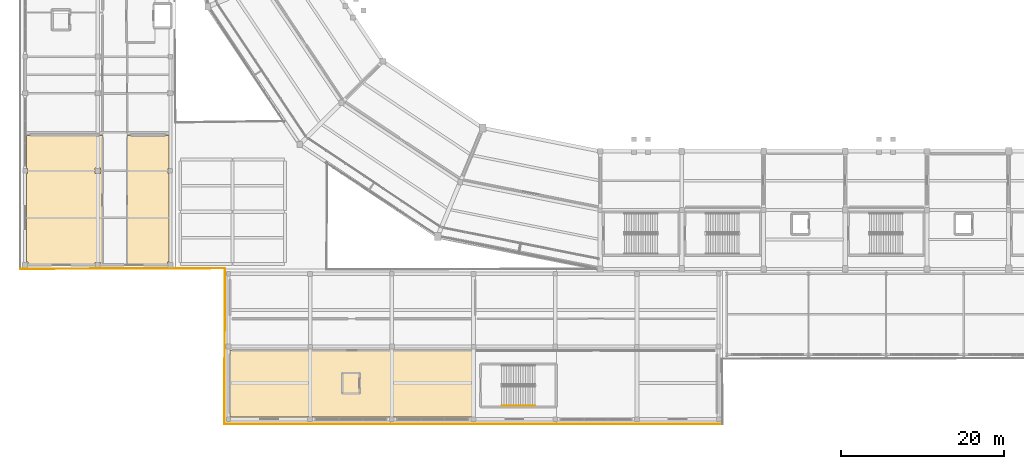
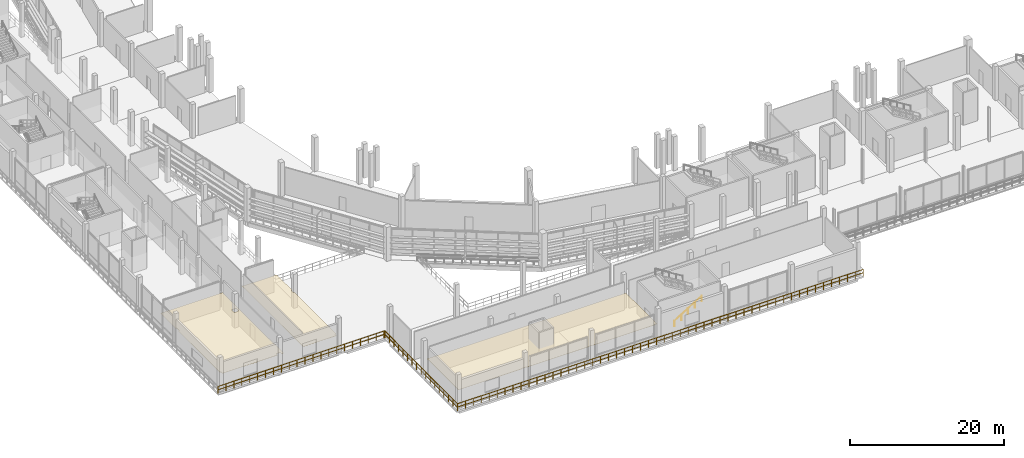
# One storey, part 87 of 111: 4 railings, 3 coverings.
"""IFC4 building model written with IfcOpenShell, lengths in metres."""

from ifc_helpers import new_model, si_unit, direction, frame, origin, origin_2d, place, context, subcontext, project, spatial, polyline, circle, outline, extrude, material, layer, layer_set, type_object, element, save


model = new_model("IFC4")

# Units and contexts
model_context = context("Model", 3, precision=1e-05, world=origin(), true_north=direction((0.0, 1.0)))
body_context = subcontext(model_context, "Body", "Model", "MODEL_VIEW")
ifc_project = project(units=[si_unit("LENGTHUNIT", "METRE"), si_unit("AREAUNIT", "SQUARE_METRE"), si_unit("VOLUMEUNIT", "CUBIC_METRE"), si_unit("PLANEANGLEUNIT", "RADIAN"), si_unit("MASSUNIT", "GRAM", prefix="KILO")], contexts=[model_context])

# Site, building, storey
site_placement = place(None, origin())
site = spatial("IfcSite", under=ifc_project, at=site_placement, CompositionType="ELEMENT")
building_placement = place(site_placement, origin())
building = spatial("IfcBuilding", under=site, at=building_placement, Name="Candeia Ridge Stadium", CompositionType="ELEMENT")
storey_placement = place(building_placement, frame((0.0, 0.0, 16.199951171875)))
storey = spatial("IfcBuildingStorey", under=building, at=storey_placement, Name="L03", CompositionType="ELEMENT", Elevation=16.199951171875)

# Coverings
ifc_material_1 = material(Name="Western Red Cedar Acoustic Slat", Category="wood")
ifc_layer_1 = layer(ifc_material_1, 0.044921875, Name="Western Red Cedar Acoustic Slat", Category="wood")
ifc_layer_set_1 = layer_set([ifc_layer_1], Name="Western Red Cedar Acoustic Slat")
covering_type = type_object("IfcCoveringType", Name="Slatted Cedar Acoustic Ceiling 45", PredefinedType="CEILING", material=ifc_layer_set_1)
covering_1_placement = place(storey_placement, frame((0.0, 0.0, 2.510009765625)))
element("IfcCovering", 1, at=covering_1_placement, inside=storey, type_object=covering_type, Name="Acoustic ceiling Presidential Hospitality Suite W01", PredefinedType="CEILING", context=body_context, shape_type="SweptSolid", body=[
    extrude(outline(polyline([(0.9150390625, 30.68505859375), (0.9150390625, 31.31494140625), (0.77001953125, 31.31494140625), (0.77001953125, 35.300048828125), (0.77001953125, 35.302978515625), (0.7705078125, 35.305908203125), (0.771240234375, 35.30859375), (0.772216796875, 35.3115234375), (0.7734375, 35.314208984375), (0.775146484375, 35.316650390625), (0.77685546875, 35.319091796875), (0.77880859375, 35.3212890625), (0.781005859375, 35.3232421875), (0.783203125, 35.324951171875), (0.785888671875, 35.326416015625), (0.78857421875, 35.32763671875), (0.791259765625, 35.32861328125), (0.794189453125, 35.329345703125), (0.797119140625, 35.329833984375), (0.800048828125, 35.330078125), (10.10009765625, 35.330078125), (10.102783203125, 35.329833984375), (10.10595703125, 35.329345703125), (10.108642578125, 35.32861328125), (10.111572265625, 35.32763671875), (10.114013671875, 35.326416015625), (10.11669921875, 35.324951171875), (10.118896484375, 35.3232421875), (10.12109375, 35.3212890625), (10.123291015625, 35.319091796875), (10.125, 35.316650390625), (10.12646484375, 35.314208984375), (10.127685546875, 35.3115234375), (10.128662109375, 35.30859375), (10.12939453125, 35.305908203125), (10.1298828125, 35.302978515625), (10.1298828125, 35.300048828125), (10.1298828125, 19.5), (10.1298828125, 19.4970703125), (10.12939453125, 19.494140625), (10.128662109375, 19.4912109375), (10.127685546875, 19.488525390625), (10.12646484375, 19.48583984375), (10.125, 19.4833984375), (10.123291015625, 19.48095703125), (10.12109375, 19.478759765625), (10.118896484375, 19.476806640625), (10.11669921875, 19.47509765625), (10.114013671875, 19.473388671875), (10.111572265625, 19.472412109375), (10.108642578125, 19.47119140625), (10.10595703125, 19.470703125), (10.102783203125, 19.47021484375), (10.10009765625, 19.469970703125), (9.81494140625, 19.469970703125), (9.81494140625, 19.81494140625), (9.18505859375, 19.81494140625), (9.18505859375, 19.469970703125), (0.93994140625, 19.469970703125), (0.93994140625, 19.840087890625), (0.77001953125, 19.840087890625), (0.77001953125, 30.68505859375), (0.9150390625, 30.68505859375)]), holes=[polyline([(9.159912109375, 31.340087890625), (9.159912109375, 30.659912109375), (9.840087890625, 30.659912109375), (9.840087890625, 31.340087890625), (9.159912109375, 31.340087890625)])]), origin(), (0.0, 0.0, 1.0), 0.0400390625),
])
covering_2_placement = place(storey_placement, frame((0.0, 0.0, 2.510009765625)))
element("IfcCovering", 2, at=covering_2_placement, inside=storey, type_object=covering_type, Name="Acoustic ceiling Presidential Hospitality Suite W01 Pitchside Suite", PredefinedType="CEILING", context=body_context, shape_type="SweptSolid", body=[
    extrude(outline(polyline([(13.093994140625, 19.470703125), (13.09130859375, 19.47119140625), (13.08837890625, 19.472412109375), (13.0859375, 19.473388671875), (13.083251953125, 19.47509765625), (13.0810546875, 19.476806640625), (13.078857421875, 19.478759765625), (13.076904296875, 19.48095703125), (13.0751953125, 19.4833984375), (13.073486328125, 19.48583984375), (13.072265625, 19.488525390625), (13.0712890625, 19.4912109375), (13.070556640625, 19.494140625), (13.070068359375, 19.4970703125), (13.070068359375, 19.5), (13.070068359375, 35.300048828125), (13.070068359375, 35.302978515625), (13.070556640625, 35.305908203125), (13.0712890625, 35.30859375), (13.072265625, 35.3115234375), (13.073486328125, 35.314208984375), (13.0751953125, 35.316650390625), (13.076904296875, 35.319091796875), (13.078857421875, 35.3212890625), (13.0810546875, 35.3232421875), (13.083251953125, 35.324951171875), (13.0859375, 35.326416015625), (13.08837890625, 35.32763671875), (13.09130859375, 35.32861328125), (13.093994140625, 35.329345703125), (13.09716796875, 35.329833984375), (13.10009765625, 35.330078125), (18.199951171875, 35.330078125), (18.202880859375, 35.329833984375), (18.205810546875, 35.329345703125), (18.208740234375, 35.32861328125), (18.21142578125, 35.32763671875), (18.214111328125, 35.326416015625), (18.216796875, 35.324951171875), (18.218994140625, 35.3232421875), (18.22119140625, 35.3212890625), (18.22314453125, 35.319091796875), (18.224853515625, 35.316650390625), (18.2265625, 35.314208984375), (18.227783203125, 35.3115234375), (18.228759765625, 35.30859375), (18.2294921875, 35.305908203125), (18.22998046875, 35.302978515625), (18.22998046875, 35.300048828125), (18.22998046875, 31.31494140625), (18.0849609375, 31.31494140625), (18.0849609375, 30.68505859375), (18.22998046875, 30.68505859375), (18.22998046875, 19.840087890625), (18.06005859375, 19.840087890625), (18.06005859375, 19.469970703125), (13.10009765625, 19.469970703125), (13.09716796875, 19.47021484375), (13.093994140625, 19.470703125)])), origin(), (0.0, 0.0, 1.0), 0.0400390625),
])
covering_3_placement = place(storey_placement, frame((0.0, 0.0, 2.510009765625)))
element("IfcCovering", 3, at=covering_3_placement, inside=storey, type_object=covering_type, Name="Acoustic ceiling South Executive Skybox Salon", PredefinedType="CEILING", context=body_context, shape_type="SweptSolid", body=[
    extrude(outline(polyline([(25.670166015625, 9.0029296875), (25.670654296875, 9.005859375), (25.67138671875, 9.0087890625), (25.67236328125, 9.011474609375), (25.673583984375, 9.01416015625), (25.675048828125, 9.0166015625), (25.6767578125, 9.01904296875), (25.6787109375, 9.021240234375), (25.680908203125, 9.023193359375), (25.683349609375, 9.02490234375), (25.685791015625, 9.026611328125), (25.6884765625, 9.027587890625), (25.69140625, 9.02880859375), (25.694091796875, 9.029296875), (25.697021484375, 9.02978515625), (25.699951171875, 9.030029296875), (55.5, 9.030029296875), (55.5029296875, 9.02978515625), (55.505859375, 9.029296875), (55.5087890625, 9.02880859375), (55.511474609375, 9.027587890625), (55.51416015625, 9.026611328125), (55.5166015625, 9.02490234375), (55.51904296875, 9.023193359375), (55.521240234375, 9.021240234375), (55.523193359375, 9.01904296875), (55.52490234375, 9.0166015625), (55.526611328125, 9.01416015625), (55.527587890625, 9.011474609375), (55.52880859375, 9.0087890625), (55.529296875, 9.005859375), (55.52978515625, 9.0029296875), (55.530029296875, 9.0), (55.530029296875, 0.93994140625), (55.159912109375, 0.93994140625), (55.159912109375, 0.8701171875), (45.81494140625, 0.8701171875), (45.81494140625, 0.9150390625), (45.18505859375, 0.9150390625), (45.18505859375, 0.8701171875), (35.840087890625, 0.8701171875), (35.840087890625, 0.93994140625), (35.159912109375, 0.93994140625), (35.159912109375, 0.8701171875), (25.81494140625, 0.8701171875), (25.81494140625, 0.9150390625), (25.669921875, 0.9150390625), (25.669921875, 9.0), (25.670166015625, 9.0029296875)])), origin(), (0.0, 0.0, 1.0), 0.0400390625),
])

# Railings
ifc_material_2 = material(Name="Galvanized Powder-Coated Steel", Category="steel")
ifc_layer_2 = layer(ifc_material_2, 0.074951171875, Name="Galvanized Powder-Coated Steel", Category="steel")
ifc_layer_set_2 = layer_set([ifc_layer_2], Name="Galvanized Powder-Coated Steel")
railing_type_1 = type_object("IfcRailingType", Name="Spectator Bowl Front Guardrail 1120", PredefinedType="GUARDRAIL", material=ifc_layer_set_2)
railing_1_placement = place(storey_placement, frame((25.0, 19.080078125, 0.0)))
element("IfcRailing", 4, at=railing_1_placement, inside=storey, type_object=railing_type_1, Name="Deck edge safety guardrail GR-DE-L03-0145", PredefinedType="GUARDRAIL", context=body_context, shape_type="SweptSolid", body=[
    extrude(circle(Radius=0.02392578125, at=origin_2d()), frame((0.0, 0.0, 1.09619140625), z_axis=(-0.999994870035, -0.003203108568, 0.0), x_axis=(0.003203108568, -0.999994870035, 0.0)), (0.0, 0.0, 1.0), 25.000244140625),
    extrude(circle(Radius=0.02392578125, at=origin_2d()), frame((0.0, 0.0, 0.56005859375), z_axis=(-0.999994870035, -0.003203108568, 0.0), x_axis=(0.003203108568, -0.999994870035, 0.0)), (0.0, 0.0, 1.0), 25.000244140625),
    extrude(circle(Radius=0.02099609375, at=origin_2d()), origin(), (0.0, 0.0, 1.0), 1.072021484375),
    extrude(circle(Radius=0.02099609375, at=origin_2d()), frame((-1.1904296875, -0.00390625, 0.0)), (0.0, 0.0, 1.0), 1.072021484375),
    extrude(circle(Radius=0.02099609375, at=origin_2d()), frame((-2.380859375, -0.007568359375, 0.0)), (0.0, 0.0, 1.0), 1.072021484375),
    extrude(circle(Radius=0.02099609375, at=origin_2d()), frame((-3.571533203125, -0.011474609375, 0.0)), (0.0, 0.0, 1.0), 1.072021484375),
    extrude(circle(Radius=0.02099609375, at=origin_2d()), frame((-4.761962890625, -0.01513671875, 0.0)), (0.0, 0.0, 1.0), 1.072021484375),
    extrude(circle(Radius=0.02099609375, at=origin_2d()), frame((-5.952392578125, -0.01904296875, 0.0)), (0.0, 0.0, 1.0), 1.072021484375),
    extrude(circle(Radius=0.02099609375, at=origin_2d()), frame((-7.142822265625, -0.02294921875, 0.0)), (0.0, 0.0, 1.0), 1.072021484375),
    extrude(circle(Radius=0.02099609375, at=origin_2d()), frame((-8.333251953125, -0.026611328125, 0.0)), (0.0, 0.0, 1.0), 1.072021484375),
    extrude(circle(Radius=0.02099609375, at=origin_2d()), frame((-9.52392578125, -0.030517578125, 0.0)), (0.0, 0.0, 1.0), 1.072021484375),
    extrude(circle(Radius=0.02099609375, at=origin_2d()), frame((-10.71435546875, -0.034423828125, 0.0)), (0.0, 0.0, 1.0), 1.072021484375),
    extrude(circle(Radius=0.02099609375, at=origin_2d()), frame((-11.90478515625, -0.0380859375, 0.0)), (0.0, 0.0, 1.0), 1.072021484375),
    extrude(circle(Radius=0.02099609375, at=origin_2d()), frame((-13.09521484375, -0.0419921875, 0.0)), (0.0, 0.0, 1.0), 1.072021484375),
    extrude(circle(Radius=0.02099609375, at=origin_2d()), frame((-14.28564453125, -0.045654296875, 0.0)), (0.0, 0.0, 1.0), 1.072021484375),
    extrude(circle(Radius=0.02099609375, at=origin_2d()), frame((-15.47607421875, -0.049560546875, 0.0)), (0.0, 0.0, 1.0), 1.072021484375),
    extrude(circle(Radius=0.02099609375, at=origin_2d()), frame((-16.666748046875, -0.053466796875, 0.0)), (0.0, 0.0, 1.0), 1.072021484375),
    extrude(circle(Radius=0.02099609375, at=origin_2d()), frame((-17.857177734375, -0.05712890625, 0.0)), (0.0, 0.0, 1.0), 1.072021484375),
    extrude(circle(Radius=0.02099609375, at=origin_2d()), frame((-19.047607421875, -0.06103515625, 0.0)), (0.0, 0.0, 1.0), 1.072021484375),
    extrude(circle(Radius=0.02099609375, at=origin_2d()), frame((-20.238037109375, -0.06494140625, 0.0)), (0.0, 0.0, 1.0), 1.072021484375),
    extrude(circle(Radius=0.02099609375, at=origin_2d()), frame((-21.428466796875, -0.068603515625, 0.0)), (0.0, 0.0, 1.0), 1.072021484375),
    extrude(circle(Radius=0.02099609375, at=origin_2d()), frame((-22.619140625, -0.072509765625, 0.0)), (0.0, 0.0, 1.0), 1.072021484375),
    extrude(circle(Radius=0.02099609375, at=origin_2d()), frame((-23.8095703125, -0.076171875, 0.0)), (0.0, 0.0, 1.0), 1.072021484375),
    extrude(circle(Radius=0.02099609375, at=origin_2d()), frame((-25.0, -0.080078125, 0.0)), (0.0, 0.0, 1.0), 1.072021484375),
])
railing_2_placement = place(storey_placement, frame((86.0, 0.0, 0.0)))
element("IfcRailing", 5, at=railing_2_placement, inside=storey, type_object=railing_type_1, Name="Deck edge safety guardrail GR-DE-L03-0155", PredefinedType="GUARDRAIL", context=body_context, shape_type="SweptSolid", body=[
    extrude(circle(Radius=0.02392578125, at=origin_2d()), frame((0.0, 0.0, 1.09619140625), z_axis=(-1.0, 0.0, 0.0), x_axis=(0.0, -1.0, 0.0)), (0.0, 0.0, 1.0), 61.0),
    extrude(circle(Radius=0.02392578125, at=origin_2d()), frame((0.0, 0.0, 0.56005859375), z_axis=(-1.0, 0.0, 0.0), x_axis=(0.0, -1.0, 0.0)), (0.0, 0.0, 1.0), 61.0),
    extrude(circle(Radius=0.02099609375, at=origin_2d()), origin(), (0.0, 0.0, 1.0), 1.072021484375),
    extrude(circle(Radius=0.02099609375, at=origin_2d()), frame((-1.196044921875, 0.0, 0.0)), (0.0, 0.0, 1.0), 1.072021484375),
    extrude(circle(Radius=0.02099609375, at=origin_2d()), frame((-2.39208984375, 0.0, 0.0)), (0.0, 0.0, 1.0), 1.072021484375),
    extrude(circle(Radius=0.02099609375, at=origin_2d()), frame((-3.588134765625, 0.0, 0.0)), (0.0, 0.0, 1.0), 1.072021484375),
    extrude(circle(Radius=0.02099609375, at=origin_2d()), frame((-4.784423828125, 0.0, 0.0)), (0.0, 0.0, 1.0), 1.072021484375),
    extrude(circle(Radius=0.02099609375, at=origin_2d()), frame((-5.98046875, 0.0, 0.0)), (0.0, 0.0, 1.0), 1.072021484375),
    extrude(circle(Radius=0.02099609375, at=origin_2d()), frame((-7.176513671875, 0.0, 0.0)), (0.0, 0.0, 1.0), 1.072021484375),
    extrude(circle(Radius=0.02099609375, at=origin_2d()), frame((-8.37255859375, 0.0, 0.0)), (0.0, 0.0, 1.0), 1.072021484375),
    extrude(circle(Radius=0.02099609375, at=origin_2d()), frame((-9.568603515625, 0.0, 0.0)), (0.0, 0.0, 1.0), 1.072021484375),
    extrude(circle(Radius=0.02099609375, at=origin_2d()), frame((-10.7646484375, 0.0, 0.0)), (0.0, 0.0, 1.0), 1.072021484375),
    extrude(circle(Radius=0.02099609375, at=origin_2d()), frame((-11.960693359375, 0.0, 0.0)), (0.0, 0.0, 1.0), 1.072021484375),
    extrude(circle(Radius=0.02099609375, at=origin_2d()), frame((-13.156982421875, 0.0, 0.0)), (0.0, 0.0, 1.0), 1.072021484375),
    extrude(circle(Radius=0.02099609375, at=origin_2d()), frame((-14.35302734375, 0.0, 0.0)), (0.0, 0.0, 1.0), 1.072021484375),
    extrude(circle(Radius=0.02099609375, at=origin_2d()), frame((-15.549072265625, 0.0, 0.0)), (0.0, 0.0, 1.0), 1.072021484375),
    extrude(circle(Radius=0.02099609375, at=origin_2d()), frame((-16.7451171875, 0.0, 0.0)), (0.0, 0.0, 1.0), 1.072021484375),
    extrude(circle(Radius=0.02099609375, at=origin_2d()), frame((-17.941162109375, 0.0, 0.0)), (0.0, 0.0, 1.0), 1.072021484375),
    extrude(circle(Radius=0.02099609375, at=origin_2d()), frame((-19.13720703125, 0.0, 0.0)), (0.0, 0.0, 1.0), 1.072021484375),
    extrude(circle(Radius=0.02099609375, at=origin_2d()), frame((-20.333251953125, 0.0, 0.0)), (0.0, 0.0, 1.0), 1.072021484375),
    extrude(circle(Radius=0.02099609375, at=origin_2d()), frame((-21.529296875, 0.0, 0.0)), (0.0, 0.0, 1.0), 1.072021484375),
    extrude(circle(Radius=0.02099609375, at=origin_2d()), frame((-22.7255859375, 0.0, 0.0)), (0.0, 0.0, 1.0), 1.072021484375),
    extrude(circle(Radius=0.02099609375, at=origin_2d()), frame((-23.921630859375, 0.0, 0.0)), (0.0, 0.0, 1.0), 1.072021484375),
    extrude(circle(Radius=0.02099609375, at=origin_2d()), frame((-25.11767578125, 0.0, 0.0)), (0.0, 0.0, 1.0), 1.072021484375),
    extrude(circle(Radius=0.02099609375, at=origin_2d()), frame((-26.313720703125, 0.0, 0.0)), (0.0, 0.0, 1.0), 1.072021484375),
    extrude(circle(Radius=0.02099609375, at=origin_2d()), frame((-27.509765625, 0.0, 0.0)), (0.0, 0.0, 1.0), 1.072021484375),
    extrude(circle(Radius=0.02099609375, at=origin_2d()), frame((-28.705810546875, 0.0, 0.0)), (0.0, 0.0, 1.0), 1.072021484375),
    extrude(circle(Radius=0.02099609375, at=origin_2d()), frame((-29.90185546875, 0.0, 0.0)), (0.0, 0.0, 1.0), 1.072021484375),
    extrude(circle(Radius=0.02099609375, at=origin_2d()), frame((-31.09814453125, 0.0, 0.0)), (0.0, 0.0, 1.0), 1.072021484375),
    extrude(circle(Radius=0.02099609375, at=origin_2d()), frame((-32.294189453125, 0.0, 0.0)), (0.0, 0.0, 1.0), 1.072021484375),
    extrude(circle(Radius=0.02099609375, at=origin_2d()), frame((-33.490234375, 0.0, 0.0)), (0.0, 0.0, 1.0), 1.072021484375),
    extrude(circle(Radius=0.02099609375, at=origin_2d()), frame((-34.686279296875, 0.0, 0.0)), (0.0, 0.0, 1.0), 1.072021484375),
    extrude(circle(Radius=0.02099609375, at=origin_2d()), frame((-35.88232421875, 0.0, 0.0)), (0.0, 0.0, 1.0), 1.072021484375),
    extrude(circle(Radius=0.02099609375, at=origin_2d()), frame((-37.078369140625, 0.0, 0.0)), (0.0, 0.0, 1.0), 1.072021484375),
    extrude(circle(Radius=0.02099609375, at=origin_2d()), frame((-38.2744140625, 0.0, 0.0)), (0.0, 0.0, 1.0), 1.072021484375),
    extrude(circle(Radius=0.02099609375, at=origin_2d()), frame((-39.470703125, 0.0, 0.0)), (0.0, 0.0, 1.0), 1.072021484375),
    extrude(circle(Radius=0.02099609375, at=origin_2d()), frame((-40.666748046875, 0.0, 0.0)), (0.0, 0.0, 1.0), 1.072021484375),
    extrude(circle(Radius=0.02099609375, at=origin_2d()), frame((-41.86279296875, 0.0, 0.0)), (0.0, 0.0, 1.0), 1.072021484375),
    extrude(circle(Radius=0.02099609375, at=origin_2d()), frame((-43.058837890625, 0.0, 0.0)), (0.0, 0.0, 1.0), 1.072021484375),
    extrude(circle(Radius=0.02099609375, at=origin_2d()), frame((-44.2548828125, 0.0, 0.0)), (0.0, 0.0, 1.0), 1.072021484375),
    extrude(circle(Radius=0.02099609375, at=origin_2d()), frame((-45.450927734375, 0.0, 0.0)), (0.0, 0.0, 1.0), 1.072021484375),
    extrude(circle(Radius=0.02099609375, at=origin_2d()), frame((-46.64697265625, 0.0, 0.0)), (0.0, 0.0, 1.0), 1.072021484375),
    extrude(circle(Radius=0.02099609375, at=origin_2d()), frame((-47.843017578125, 0.0, 0.0)), (0.0, 0.0, 1.0), 1.072021484375),
    extrude(circle(Radius=0.02099609375, at=origin_2d()), frame((-49.039306640625, 0.0, 0.0)), (0.0, 0.0, 1.0), 1.072021484375),
    extrude(circle(Radius=0.02099609375, at=origin_2d()), frame((-50.2353515625, 0.0, 0.0)), (0.0, 0.0, 1.0), 1.072021484375),
    extrude(circle(Radius=0.02099609375, at=origin_2d()), frame((-51.431396484375, 0.0, 0.0)), (0.0, 0.0, 1.0), 1.072021484375),
    extrude(circle(Radius=0.02099609375, at=origin_2d()), frame((-52.62744140625, 0.0, 0.0)), (0.0, 0.0, 1.0), 1.072021484375),
    extrude(circle(Radius=0.02099609375, at=origin_2d()), frame((-53.823486328125, 0.0, 0.0)), (0.0, 0.0, 1.0), 1.072021484375),
    extrude(circle(Radius=0.02099609375, at=origin_2d()), frame((-55.01953125, 0.0, 0.0)), (0.0, 0.0, 1.0), 1.072021484375),
    extrude(circle(Radius=0.02099609375, at=origin_2d()), frame((-56.215576171875, 0.0, 0.0)), (0.0, 0.0, 1.0), 1.072021484375),
    extrude(circle(Radius=0.02099609375, at=origin_2d()), frame((-57.411865234375, 0.0, 0.0)), (0.0, 0.0, 1.0), 1.072021484375),
    extrude(circle(Radius=0.02099609375, at=origin_2d()), frame((-58.60791015625, 0.0, 0.0)), (0.0, 0.0, 1.0), 1.072021484375),
    extrude(circle(Radius=0.02099609375, at=origin_2d()), frame((-59.803955078125, 0.0, 0.0)), (0.0, 0.0, 1.0), 1.072021484375),
    extrude(circle(Radius=0.02099609375, at=origin_2d()), frame((-61.0, 0.0, 0.0)), (0.0, 0.0, 1.0), 1.072021484375),
])
railing_3_placement = place(storey_placement, frame((25.0, 0.0, 0.0)))
element("IfcRailing", 6, at=railing_3_placement, inside=storey, type_object=railing_type_1, Name="Deck edge safety guardrail GR-DE-L03-0156", PredefinedType="GUARDRAIL", context=body_context, shape_type="SweptSolid", body=[
    extrude(circle(Radius=0.02392578125, at=origin_2d()), frame((0.0, 0.0, 1.09619140625), z_axis=(0.004214600726, 0.999991118531, 0.0), x_axis=(-0.999991118531, 0.004214600726, 0.0)), (0.0, 0.0, 1.0), 19.000244140625),
    extrude(circle(Radius=0.02392578125, at=origin_2d()), frame((0.0, 0.0, 0.56005859375), z_axis=(0.004214600726, 0.999991118531, 0.0), x_axis=(-0.999991118531, 0.004214600726, 0.0)), (0.0, 0.0, 1.0), 19.000244140625),
    extrude(circle(Radius=0.02099609375, at=origin_2d()), origin(), (0.0, 0.0, 1.0), 1.072021484375),
    extrude(circle(Radius=0.02099609375, at=origin_2d()), frame((0.0048828125, 1.1875, 0.0)), (0.0, 0.0, 1.0), 1.072021484375),
    extrude(circle(Radius=0.02099609375, at=origin_2d()), frame((0.010009765625, 2.375, 0.0)), (0.0, 0.0, 1.0), 1.072021484375),
    extrude(circle(Radius=0.02099609375, at=origin_2d()), frame((0.01513671875, 3.5625, 0.0)), (0.0, 0.0, 1.0), 1.072021484375),
    extrude(circle(Radius=0.02099609375, at=origin_2d()), frame((0.02001953125, 4.75, 0.0)), (0.0, 0.0, 1.0), 1.072021484375),
    extrude(circle(Radius=0.02099609375, at=origin_2d()), frame((0.02490234375, 5.9375, 0.0)), (0.0, 0.0, 1.0), 1.072021484375),
    extrude(circle(Radius=0.02099609375, at=origin_2d()), frame((0.030029296875, 7.125, 0.0)), (0.0, 0.0, 1.0), 1.072021484375),
    extrude(circle(Radius=0.02099609375, at=origin_2d()), frame((0.03515625, 8.3125, 0.0)), (0.0, 0.0, 1.0), 1.072021484375),
    extrude(circle(Radius=0.02099609375, at=origin_2d()), frame((0.0400390625, 9.5, 0.0)), (0.0, 0.0, 1.0), 1.072021484375),
    extrude(circle(Radius=0.02099609375, at=origin_2d()), frame((0.044921875, 10.6875, 0.0)), (0.0, 0.0, 1.0), 1.072021484375),
    extrude(circle(Radius=0.02099609375, at=origin_2d()), frame((0.050048828125, 11.875, 0.0)), (0.0, 0.0, 1.0), 1.072021484375),
    extrude(circle(Radius=0.02099609375, at=origin_2d()), frame((0.05517578125, 13.0625, 0.0)), (0.0, 0.0, 1.0), 1.072021484375),
    extrude(circle(Radius=0.02099609375, at=origin_2d()), frame((0.06005859375, 14.25, 0.0)), (0.0, 0.0, 1.0), 1.072021484375),
    extrude(circle(Radius=0.02099609375, at=origin_2d()), frame((0.06494140625, 15.4375, 0.0)), (0.0, 0.0, 1.0), 1.072021484375),
    extrude(circle(Radius=0.02099609375, at=origin_2d()), frame((0.070068359375, 16.625, 0.0)), (0.0, 0.0, 1.0), 1.072021484375),
    extrude(circle(Radius=0.02099609375, at=origin_2d()), frame((0.0751953125, 17.8125, 0.0)), (0.0, 0.0, 1.0), 1.072021484375),
    extrude(circle(Radius=0.02099609375, at=origin_2d()), frame((0.080078125, 19.0, 0.0)), (0.0, 0.0, 1.0), 1.072021484375),
])
ifc_material_3 = material(Name="Brushed Stainless Steel", Category="steel")
ifc_layer_3 = layer(ifc_material_3, 0.048095703125, Name="Brushed Stainless Steel", Category="steel")
ifc_layer_set_3 = layer_set([ifc_layer_3], Name="Brushed Stainless Steel")
railing_type_2 = type_object("IfcRailingType", Name="Stair Wall & Flight Handrail 900", PredefinedType="HANDRAIL", material=ifc_layer_set_3)
railing_4_placement = place(storey_placement, frame((58.949951171875, 2.25, 0.179931640625)))
element("IfcRailing", 7, at=railing_4_placement, inside=storey, type_object=railing_type_2, Name="L03 ST13 stair handrail 1", PredefinedType="HANDRAIL", context=body_context, shape_type="SweptSolid", body=[
    extrude(circle(Radius=0.02392578125, at=origin_2d()), frame((0.0, 0.0, 0.8759765625), z_axis=(0.849641744969, 0.0, 0.527360318194), x_axis=(0.0, 1.0, 0.0)), (0.0, 0.0, 1.0), 4.778564453125),
    extrude(circle(Radius=0.02099609375, at=origin_2d()), origin(), (0.0, 0.0, 1.0), 0.851806640625),
    extrude(circle(Radius=0.02099609375, at=origin_2d()), frame((1.01513671875, 0.0, 0.6298828125)), (0.0, 0.0, 1.0), 0.851806640625),
    extrude(circle(Radius=0.02099609375, at=origin_2d()), frame((2.030029296875, 0.0, 1.260009765625)), (0.0, 0.0, 1.0), 0.851806640625),
    extrude(circle(Radius=0.02099609375, at=origin_2d()), frame((3.044921875, 0.0, 1.89013671875)), (0.0, 0.0, 1.0), 0.851806640625),
    extrude(circle(Radius=0.02099609375, at=origin_2d()), frame((4.06005859375, 0.0, 2.52001953125)), (0.0, 0.0, 1.0), 0.851806640625),
])

save(model, "model.ifc")
